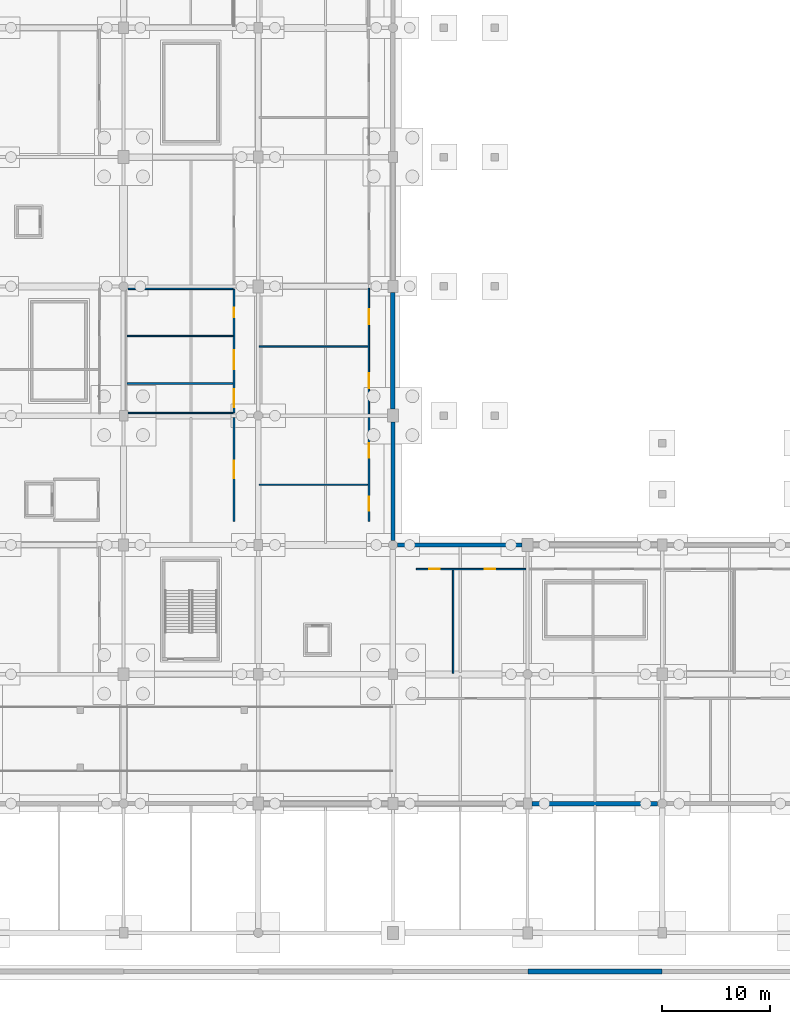
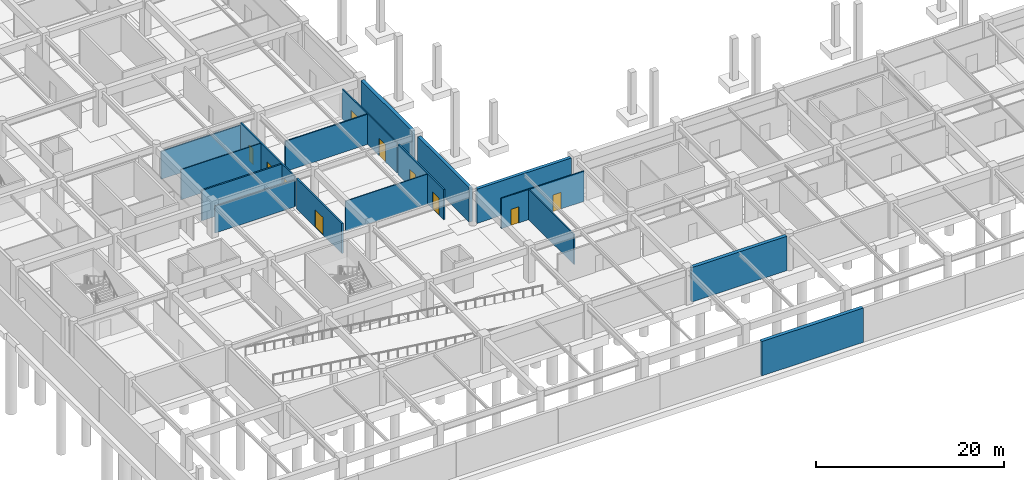
# One storey, part 24 of 56: 17 walls, 10 doors, 10 openings.
"""IFC4 building model written with IfcOpenShell, lengths in metres."""

from ifc_helpers import new_model, si_unit, direction, frame, frame_2d, origin, place, context, subcontext, project, spatial, rectangle, extrude, material, layer, layer_set, type_object, element, fill, save


model = new_model("IFC4")

# Units and contexts
model_context = context("Model", 3, precision=1e-05, world=origin(), true_north=direction((0.0, 1.0)))
body_context = subcontext(model_context, "Body", "Model", "MODEL_VIEW")
ifc_project = project(units=[si_unit("LENGTHUNIT", "METRE"), si_unit("AREAUNIT", "SQUARE_METRE"), si_unit("VOLUMEUNIT", "CUBIC_METRE"), si_unit("PLANEANGLEUNIT", "RADIAN"), si_unit("MASSUNIT", "GRAM", prefix="KILO")], contexts=[model_context])

# Site, building, storey
site_placement = place(None, origin())
site = spatial("IfcSite", under=ifc_project, at=site_placement, CompositionType="ELEMENT")
building_placement = place(site_placement, origin())
building = spatial("IfcBuilding", under=site, at=building_placement, Name="Kazenohara Klinker Stadium", CompositionType="ELEMENT")
storey_placement = place(building_placement, frame((0.0, 0.0, -4.800048828125)))
storey = spatial("IfcBuildingStorey", under=building, at=storey_placement, Name="B01", CompositionType="ELEMENT", Elevation=-4.800048828125)

# Walls
ifc_material_1 = material(Name="Concrete C40/50", Category="concrete")
ifc_layer_1 = layer(ifc_material_1, 0.43994140625)
ifc_layer_set_1 = layer_set([ifc_layer_1], Name="Concrete C40/50")
wall_type_1 = type_object("IfcWallType", Name="WAL-B01-PLINTH440", PredefinedType="USERDEFINED", material=ifc_layer_set_1)
wall_1_placement = place(storey_placement, frame((61.52001953125, -3.580078125, 0.0), z_axis=(0.0, 0.0, 1.0), x_axis=(1.0, 0.0, 0.0)))
element("IfcWall", 1, at=wall_1_placement, inside=storey, type_object=wall_type_1, Name="Street plinth retaining wall RW03 South-06", ObjectType="RETAINING WALL", PredefinedType="USERDEFINED", context=body_context, shape_type="SweptSolid", body=[
    extrude(rectangle(XDim=12.4599609375, YDim=0.43994140625, at=frame_2d((6.22998046875, 0.0))), origin(), (0.0, 0.0, 1.0), 4.4599609375),
])
ifc_layer_2 = layer(ifc_material_1, 0.3798828125)
ifc_layer_set_2 = layer_set([ifc_layer_2], Name="Concrete C40/50")
wall_type_2 = type_object("IfcWallType", Name="WAL-B01-RET380", PredefinedType="STANDARD", material=ifc_layer_set_2)
wall_2_placement = place(storey_placement, frame((49.0, 36.428955078125, 0.0), z_axis=(0.0, 0.0, 1.0), x_axis=(0.0, 1.0, 0.0)))
element("IfcWall", 2, at=wall_2_placement, inside=storey, type_object=wall_type_2, Name="Basement perimeter retaining wall RW02 Y-04-03", PredefinedType="STANDARD", context=body_context, shape_type="SweptSolid", body=[
    extrude(rectangle(XDim=10.967041015625, YDim=0.3798828125, at=frame_2d((5.4833984375, 0.0))), origin(), (0.0, 0.0, 1.0), 4.4599609375),
])
wall_3_placement = place(storey_placement, frame((49.428955078125, 36.0, 0.0), z_axis=(0.0, 0.0, 1.0), x_axis=(1.0, 0.0, 0.0)))
element("IfcWall", 3, at=wall_3_placement, inside=storey, type_object=wall_type_2, Name="Basement perimeter retaining wall RW02 X-04-03", PredefinedType="STANDARD", context=body_context, shape_type="SweptSolid", body=[
    extrude(rectangle(XDim=11.567138671875, YDim=0.3798828125, at=frame_2d((5.78369140625, 0.0))), origin(), (0.0, 0.0, 1.0), 4.4599609375),
])
ifc_layer_3 = layer(ifc_material_1, 0.419921875)
ifc_layer_set_3 = layer_set([ifc_layer_3], Name="Concrete C40/50")
wall_type_3 = type_object("IfcWallType", Name="WAL-B01-RET420", PredefinedType="STANDARD", material=ifc_layer_set_3)
wall_4_placement = place(storey_placement, frame((49.0, 48.60400390625, 0.0), z_axis=(0.0, 0.0, 1.0), x_axis=(0.0, 1.0, 0.0)))
element("IfcWall", 4, at=wall_4_placement, inside=storey, type_object=wall_type_3, Name="Basement perimeter retaining wall RW01 Y-04-04", PredefinedType="STANDARD", context=body_context, shape_type="SweptSolid", body=[
    extrude(rectangle(XDim=10.842041015625, YDim=0.419921875, at=frame_2d((5.4208984375, 0.0))), origin(), (0.0, 0.0, 1.0), 4.4599609375),
])
wall_5_placement = place(storey_placement, frame((61.904052734375, 12.0, 0.0), z_axis=(0.0, 0.0, 1.0), x_axis=(1.0, 0.0, 0.0)))
element("IfcWall", 5, at=wall_5_placement, inside=storey, type_object=wall_type_3, Name="Basement perimeter retaining wall RW01 X-05-01", PredefinedType="STANDARD", context=body_context, shape_type="SweptSolid", body=[
    extrude(rectangle(XDim=11.6669921875, YDim=0.419921875, at=frame_2d((5.83349609375, 0.0))), origin(), (0.0, 0.0, 1.0), 4.4599609375),
])
ifc_material_2 = material(Name="Fire-rated gypsum board on acoustic studs", Category="gypsum")
ifc_layer_4 = layer(ifc_material_2, 0.110107421875)
ifc_layer_set_4 = layer_set([ifc_layer_4], Name="Fire-rated gypsum board on acoustic studs")
wall_type_4 = type_object("IfcWallType", Name="WAL-INT-P110", PredefinedType="PARTITIONING", material=ifc_layer_set_4)
wall_6_placement = place(storey_placement, frame((24.320068359375, 55.39306640625, 0.0), z_axis=(0.0, 0.0, 1.0), x_axis=(1.0, 0.0, 0.0)))
element("IfcWall", 6, at=wall_6_placement, inside=storey, type_object=wall_type_4, Name="Interior partition wall PT01 SPC-B01-02-04-1-6", PredefinedType="PARTITIONING", context=body_context, shape_type="SweptSolid", body=[
    extrude(rectangle(XDim=9.849853515625, YDim=0.110107421875, at=frame_2d((4.9248046875, 0.0))), origin(), (0.0, 0.0, 1.0), 3.920166015625),
])
wall_7_placement = place(storey_placement, frame((36.580078125, 41.59326171875, 0.0), z_axis=(0.0, 0.0, 1.0), x_axis=(1.0, 0.0, 0.0)))
element("IfcWall", 7, at=wall_7_placement, inside=storey, type_object=wall_type_4, Name="Interior partition wall PT01 SPC-B01-03-03-1-2", PredefinedType="PARTITIONING", context=body_context, shape_type="SweptSolid", body=[
    extrude(rectangle(XDim=10.079833984375, YDim=0.110107421875, at=frame_2d((5.0400390625, 0.0))), origin(), (0.0, 0.0, 1.0), 3.920166015625),
])
ifc_layer_5 = layer(ifc_material_2, 0.1201171875)
ifc_layer_set_5 = layer_set([ifc_layer_5], Name="Fire-rated gypsum board on acoustic studs")
wall_type_5 = type_object("IfcWallType", Name="WAL-INT-P120", PredefinedType="PARTITIONING", material=ifc_layer_set_5)
wall_8_placement = place(storey_placement, frame((24.404052734375, 48.239990234375, 0.0), z_axis=(0.0, 0.0, 1.0), x_axis=(1.0, 0.0, 0.0)))
element("IfcWall", 8, at=wall_8_placement, inside=storey, type_object=wall_type_5, Name="Interior partition wall PT02 SPC-B01-02-04-1-1", PredefinedType="PARTITIONING", context=body_context, shape_type="SweptSolid", body=[
    extrude(rectangle(XDim=9.765869140625, YDim=0.1201171875, at=frame_2d((4.8828125, 0.0))), origin(), (0.0, 0.0, 1.0), 3.52001953125),
])
ifc_layer_6 = layer(ifc_material_2, 0.139892578125)
ifc_layer_set_6 = layer_set([ifc_layer_6], Name="Fire-rated gypsum board on acoustic studs")
wall_type_6 = type_object("IfcWallType", Name="WAL-INT-P140", PredefinedType="PARTITIONING", material=ifc_layer_set_6)
wall_9_placement = place(storey_placement, frame((24.428955078125, 59.760009765625, 0.0), z_axis=(0.0, 0.0, 1.0), x_axis=(1.0, 0.0, 0.0)))
element("IfcWall", 9, at=wall_9_placement, inside=storey, type_object=wall_type_6, Name="Interior partition wall PT03 SPC-B01-02-04-1-2", PredefinedType="PARTITIONING", context=body_context, shape_type="SweptSolid", body=[
    extrude(rectangle(XDim=9.740966796875, YDim=0.139892578125, at=frame_2d((4.87060546875, 0.0))), origin(), (0.0, 0.0, 1.0), 3.6201171875),
])

# Wall, openings, doors
wall_10_placement = place(storey_placement, frame((46.760009765625, 48.159912109375, 0.0), z_axis=(0.0, 0.0, 1.0), x_axis=(0.0, 1.0, 0.0)))
wall_10 = element("IfcWall", 10, at=wall_10_placement, inside=storey, type_object=wall_type_6, Name="Interior partition wall PT03 SPC-B01-03-04-1-1", PredefinedType="PARTITIONING", context=body_context, shape_type="SweptSolid", body=[
    extrude(rectangle(XDim=11.68017578125, YDim=0.139892578125, at=frame_2d((5.840087890625, 0.0))), origin(), (0.0, 0.0, 1.0), 3.920166015625),
])
opening_1_placement = place(wall_10_placement, frame((2.404296875, 0.0, 0.0)))
opening_1 = element("IfcOpeningElement", 11, at=opening_1_placement, cuts=wall_10, Name="Opening ID17", PredefinedType="OPENING", context=body_context, shape_type="SweptSolid", body=[
    extrude(rectangle(XDim=1.360107421875, YDim=2.25, at=frame_2d((0.68017578125, 1.125))), frame((0.0, 0.080078125, 0.0), z_axis=(0.0, -1.0, 0.0), x_axis=(1.0, 0.0, 0.0)), (0.0, 0.0, 1.0), 0.159912109375),
])
opening_2_placement = place(wall_10_placement, frame((8.304443359375, 0.0, 0.0)))
opening_2 = element("IfcOpeningElement", 12, at=opening_2_placement, cuts=wall_10, Name="Opening ID18", PredefinedType="OPENING", context=body_context, shape_type="SweptSolid", body=[
    extrude(rectangle(XDim=1.39990234375, YDim=2.239990234375, at=frame_2d((0.699951171875, 1.1201171875))), frame((0.0, 0.080078125, 0.0), z_axis=(0.0, -1.0, 0.0), x_axis=(1.0, 0.0, 0.0)), (0.0, 0.0, 1.0), 0.159912109375),
])
ifc_material_3 = material(Name="Solid-core Hokkaido oak fire door", Category="wood")
door_type_1 = type_object("IfcDoorType", Name="DR-INT-17", OperationType="NOTDEFINED", PredefinedType="DOOR", material=ifc_material_3)
door_1_placement = place(opening_1_placement, origin())
door_1 = element("IfcDoor", 13, at=door_1_placement, inside=storey, type_object=door_type_1, Name="Interior door ID17 Mixed Zone Broadcast Interview Studio B01-0304A", OperationType="SINGLE_SWING_RIGHT", OverallHeight=2.25, OverallWidth=1.360107421875, PredefinedType="DOOR", context=body_context, shape_type="SweptSolid", body=[
    extrude(rectangle(XDim=1.360107421875, YDim=2.25, at=frame_2d((0.68017578125, 1.125))), frame((0.0, 0.02490234375, 0.0), z_axis=(0.0, -1.0, 0.0), x_axis=(1.0, 0.0, 0.0)), (0.0, 0.0, 1.0), 0.050048828125),
])
fill(opening_1, door_1)
door_type_2 = type_object("IfcDoorType", Name="DR-INT-18", OperationType="NOTDEFINED", PredefinedType="DOOR", material=ifc_material_3)
door_2_placement = place(opening_2_placement, origin())
door_2 = element("IfcDoor", 14, at=door_2_placement, inside=storey, type_object=door_type_2, Name="Interior door ID18 Visiting-Club Athlete Changing Room B01-0304B", OperationType="SINGLE_SWING_LEFT", OverallHeight=2.239990234375, OverallWidth=1.39990234375, PredefinedType="DOOR", context=body_context, shape_type="SweptSolid", body=[
    extrude(rectangle(XDim=1.39990234375, YDim=2.239990234375, at=frame_2d((0.699951171875, 1.1201171875))), frame((0.0, 0.02490234375, 0.0), z_axis=(0.0, -1.0, 0.0), x_axis=(1.0, 0.0, 0.0)), (0.0, 0.0, 1.0), 0.050048828125),
])
fill(opening_2, door_2)

wall_11_placement = place(storey_placement, frame((51.169921875, 33.760009765625, 0.0), z_axis=(0.0, 0.0, 1.0), x_axis=(1.0, 0.0, 0.0)))
wall_11 = element("IfcWall", 15, at=wall_11_placement, inside=storey, type_object=wall_type_6, Name="Interior partition wall PT03 SPC-B01-04-02-1-1", PredefinedType="PARTITIONING", context=body_context, shape_type="SweptSolid", body=[
    extrude(rectangle(XDim=10.170166015625, YDim=0.139892578125, at=frame_2d((5.0849609375, 0.0))), origin(), (0.0, 0.0, 1.0), 3.920166015625),
])
opening_3_placement = place(wall_11_placement, frame((2.158447265625, 0.0, 0.0), z_axis=(0.0, 0.0, 1.0), x_axis=(-1.0, 0.0, 0.0)))
opening_3 = element("IfcOpeningElement", 16, at=opening_3_placement, cuts=wall_11, Name="Opening ID04", PredefinedType="OPENING", context=body_context, shape_type="SweptSolid", body=[
    extrude(rectangle(XDim=0.97998046875, YDim=2.10009765625, at=frame_2d((0.489990234375, 1.050048828125))), frame((0.0, 0.080078125, 0.0), z_axis=(0.0, -1.0, 0.0), x_axis=(1.0, 0.0, 0.0)), (0.0, 0.0, 1.0), 0.159912109375),
])
opening_4_placement = place(wall_11_placement, frame((7.33349609375, 0.0, 0.0), z_axis=(0.0, 0.0, 1.0), x_axis=(-1.0, 0.0, 0.0)))
opening_4 = element("IfcOpeningElement", 17, at=opening_4_placement, cuts=wall_11, Name="Opening ID05", PredefinedType="OPENING", context=body_context, shape_type="SweptSolid", body=[
    extrude(rectangle(XDim=1.0, YDim=2.139892578125, at=frame_2d((0.5, 1.06982421875))), frame((0.0, 0.080078125, 0.0), z_axis=(0.0, -1.0, 0.0), x_axis=(1.0, 0.0, 0.0)), (0.0, 0.0, 1.0), 0.159912109375),
])
door_type_3 = type_object("IfcDoorType", Name="DR-INT-04", OperationType="NOTDEFINED", PredefinedType="DOOR", material=ifc_material_3)
door_3_placement = place(opening_3_placement, origin())
door_3 = element("IfcDoor", 18, at=door_3_placement, inside=storey, type_object=door_type_3, Name="Interior door ID04 Emergency Diesel Generator Plant B01-0402A", OperationType="SINGLE_SWING_LEFT", OverallHeight=2.10009765625, OverallWidth=0.97998046875, PredefinedType="DOOR", context=body_context, shape_type="SweptSolid", body=[
    extrude(rectangle(XDim=0.97998046875, YDim=2.10009765625, at=frame_2d((0.489990234375, 1.050048828125))), frame((0.0, 0.02490234375, 0.0), z_axis=(0.0, -1.0, 0.0), x_axis=(1.0, 0.0, 0.0)), (0.0, 0.0, 1.0), 0.050048828125),
])
fill(opening_3, door_3)
door_type_4 = type_object("IfcDoorType", Name="DR-INT-05", OperationType="NOTDEFINED", PredefinedType="DOOR", material=ifc_material_3)
door_4_placement = place(opening_4_placement, origin())
door_4 = element("IfcDoor", 19, at=door_4_placement, inside=storey, type_object=door_type_4, Name="Interior door ID05 Indoor Turf Sprint Training Arena B01-0402B", OperationType="SINGLE_SWING_RIGHT", OverallHeight=2.139892578125, OverallWidth=1.0, PredefinedType="DOOR", context=body_context, shape_type="SweptSolid", body=[
    extrude(rectangle(XDim=1.0, YDim=2.139892578125, at=frame_2d((0.5, 1.06982421875))), frame((0.0, 0.02490234375, 0.0), z_axis=(0.0, -1.0, 0.0), x_axis=(1.0, 0.0, 0.0)), (0.0, 0.0, 1.0), 0.050048828125),
])
fill(opening_4, door_4)

# Walls
ifc_layer_7 = layer(ifc_material_2, 0.14990234375)
ifc_layer_set_7 = layer_set([ifc_layer_7], Name="Fire-rated gypsum board on acoustic studs")
wall_type_7 = type_object("IfcWallType", Name="WAL-INT-P150", PredefinedType="PARTITIONING", material=ifc_layer_set_7)
wall_12_placement = place(storey_placement, frame((36.580078125, 54.40869140625, 0.0), z_axis=(0.0, 0.0, 1.0), x_axis=(1.0, 0.0, 0.0)))
element("IfcWall", 20, at=wall_12_placement, inside=storey, type_object=wall_type_7, Name="Interior partition wall PT04 SPC-B01-03-04-1-2", PredefinedType="PARTITIONING", context=body_context, shape_type="SweptSolid", body=[
    extrude(rectangle(XDim=10.10498046875, YDim=0.14990234375, at=frame_2d((5.052490234375, 0.0))), origin(), (0.0, 0.0, 1.0), 3.920166015625),
])
wall_13_placement = place(storey_placement, frame((54.587158203125, 24.080078125, 0.0), z_axis=(0.0, 0.0, 1.0), x_axis=(0.0, 1.0, 0.0)))
element("IfcWall", 21, at=wall_13_placement, inside=storey, type_object=wall_type_7, Name="Interior partition wall PT04 SPC-B01-04-02-1-2", PredefinedType="PARTITIONING", context=body_context, shape_type="SweptSolid", body=[
    extrude(rectangle(XDim=9.60498046875, YDim=0.14990234375, at=frame_2d((4.802490234375, 0.0))), origin(), (0.0, 0.0, 1.0), 3.920166015625),
])

# Wall, openings, doors
ifc_layer_8 = layer(ifc_material_2, 0.169921875)
ifc_layer_set_8 = layer_set([ifc_layer_8], Name="Fire-rated gypsum board on acoustic studs")
wall_type_8 = type_object("IfcWallType", Name="WAL-INT-P170", PredefinedType="PARTITIONING", material=ifc_layer_set_8)
wall_14_placement = place(storey_placement, frame((34.260009765625, 48.239990234375, 0.0), z_axis=(0.0, 0.0, 1.0), x_axis=(0.0, 1.0, 0.0)))
wall_14 = element("IfcWall", 22, at=wall_14_placement, inside=storey, type_object=wall_type_8, Name="Interior partition wall PT05 SPC-B01-02-04-1-4", PredefinedType="PARTITIONING", context=body_context, shape_type="SweptSolid", body=[
    extrude(rectangle(XDim=11.52001953125, YDim=0.169921875, at=frame_2d((5.760009765625, 0.0))), origin(), (0.0, 0.0, 1.0), 3.920166015625),
])
opening_5_placement = place(wall_14_placement, frame((0.523193359375, 0.0, 0.0)))
opening_5 = element("IfcOpeningElement", 23, at=opening_5_placement, cuts=wall_14, Name="Opening ID25", PredefinedType="OPENING", context=body_context, shape_type="SweptSolid", body=[
    extrude(rectangle(XDim=1.699951171875, YDim=2.320068359375, at=frame_2d((0.85009765625, 1.16015625))), frame((0.0, 0.094970703125, 0.0), z_axis=(0.0, -1.0, 0.0), x_axis=(1.0, 0.0, 0.0)), (0.0, 0.0, 1.0), 0.18994140625),
])
opening_6_placement = place(wall_14_placement, frame((4.0595703125, 0.0, 0.0)))
opening_6 = element("IfcOpeningElement", 24, at=opening_6_placement, cuts=wall_14, Name="Opening ID26", PredefinedType="OPENING", context=body_context, shape_type="SweptSolid", body=[
    extrude(rectangle(XDim=1.760009765625, YDim=2.300048828125, at=frame_2d((0.8798828125, 1.14990234375))), frame((0.0, 0.094970703125, 0.0), z_axis=(0.0, -1.0, 0.0), x_axis=(1.0, 0.0, 0.0)), (0.0, 0.0, 1.0), 0.18994140625),
])
opening_7_placement = place(wall_14_placement, frame((8.87646484375, 0.0, 0.0)))
opening_7 = element("IfcOpeningElement", 25, at=opening_7_placement, cuts=wall_14, Name="Opening ID01", PredefinedType="OPENING", context=body_context, shape_type="SweptSolid", body=[
    extrude(rectangle(XDim=0.89990234375, YDim=2.06005859375, at=frame_2d((0.449951171875, 1.030029296875))), frame((0.0, 0.094970703125, 0.0), z_axis=(0.0, -1.0, 0.0), x_axis=(1.0, 0.0, 0.0)), (0.0, 0.0, 1.0), 0.18994140625),
])
door_type_5 = type_object("IfcDoorType", Name="DR-INT-01", OperationType="NOTDEFINED", PredefinedType="DOOR", material=ifc_material_3)
door_5_placement = place(opening_7_placement, origin())
door_5 = element("IfcDoor", 26, at=door_5_placement, inside=storey, type_object=door_type_5, Name="Interior door ID01 Water Closet Restroom Female B01-0204C", OperationType="SINGLE_SWING_RIGHT", OverallHeight=2.06005859375, OverallWidth=0.89990234375, PredefinedType="DOOR", context=body_context, shape_type="SweptSolid", body=[
    extrude(rectangle(XDim=0.89990234375, YDim=2.06005859375, at=frame_2d((0.449951171875, 1.030029296875))), frame((0.0, 0.02490234375, 0.0), z_axis=(0.0, -1.0, 0.0), x_axis=(1.0, 0.0, 0.0)), (0.0, 0.0, 1.0), 0.050048828125),
])
fill(opening_7, door_5)
ifc_material_4 = material(Name="Painted steel plant fire door", Category="steel")
door_type_6 = type_object("IfcDoorType", Name="DR-INT-25", OperationType="NOTDEFINED", PredefinedType="DOOR", material=ifc_material_4)
door_6_placement = place(opening_5_placement, origin())
door_6 = element("IfcDoor", 27, at=door_6_placement, inside=storey, type_object=door_type_6, Name="Interior door ID25 Accessible Water Closet Restroom B01-0204A", OperationType="SINGLE_SWING_RIGHT", OverallHeight=2.320068359375, OverallWidth=1.699951171875, PredefinedType="DOOR", context=body_context, shape_type="SweptSolid", body=[
    extrude(rectangle(XDim=1.699951171875, YDim=2.320068359375, at=frame_2d((0.85009765625, 1.16015625))), frame((0.0, 0.02490234375, 0.0), z_axis=(0.0, -1.0, 0.0), x_axis=(1.0, 0.0, 0.0)), (0.0, 0.0, 1.0), 0.050048828125),
])
fill(opening_5, door_6)
door_type_7 = type_object("IfcDoorType", Name="DR-INT-26", OperationType="NOTDEFINED", PredefinedType="DOOR", material=ifc_material_4)
door_7_placement = place(opening_6_placement, origin())
door_7 = element("IfcDoor", 28, at=door_7_placement, inside=storey, type_object=door_type_7, Name="Interior door ID26 Water Closet Restroom Male B01-0204B", OperationType="SINGLE_SWING_LEFT", OverallHeight=2.300048828125, OverallWidth=1.760009765625, PredefinedType="DOOR", context=body_context, shape_type="SweptSolid", body=[
    extrude(rectangle(XDim=1.760009765625, YDim=2.300048828125, at=frame_2d((0.8798828125, 1.14990234375))), frame((0.0, 0.02490234375, 0.0), z_axis=(0.0, -1.0, 0.0), x_axis=(1.0, 0.0, 0.0)), (0.0, 0.0, 1.0), 0.050048828125),
])
fill(opening_6, door_7)

# Wall, opening, door
ifc_layer_9 = layer(ifc_material_2, 0.18994140625)
ifc_layer_set_9 = layer_set([ifc_layer_9], Name="Fire-rated gypsum board on acoustic studs")
wall_type_9 = type_object("IfcWallType", Name="WAL-INT-P190", PredefinedType="PARTITIONING", material=ifc_layer_set_9)
wall_15_placement = place(storey_placement, frame((34.260009765625, 38.169921875, 0.0), z_axis=(0.0, 0.0, 1.0), x_axis=(0.0, 1.0, 0.0)))
wall_15 = element("IfcWall", 29, at=wall_15_placement, inside=storey, type_object=wall_type_9, Name="Interior partition wall PT06 SPC-B01-02-03-1-1", PredefinedType="PARTITIONING", context=body_context, shape_type="SweptSolid", body=[
    extrude(rectangle(XDim=9.670166015625, YDim=0.18994140625, at=frame_2d((4.8349609375, 0.0))), origin(), (0.0, 0.0, 1.0), 3.920166015625),
])
opening_8_placement = place(wall_15_placement, frame((4.010009765625, 0.0, 0.0)))
opening_8 = element("IfcOpeningElement", 30, at=opening_8_placement, cuts=wall_15, Name="Opening ID24", PredefinedType="OPENING", context=body_context, shape_type="SweptSolid", body=[
    extrude(rectangle(XDim=1.64990234375, YDim=2.280029296875, at=frame_2d((0.824951171875, 1.14013671875))), frame((0.0, 0.10498046875, 0.0), z_axis=(0.0, -1.0, 0.0), x_axis=(1.0, 0.0, 0.0)), (0.0, 0.0, 1.0), 0.2099609375),
])
door_type_8 = type_object("IfcDoorType", Name="DR-INT-24", OperationType="NOTDEFINED", PredefinedType="DOOR", material=ifc_material_4)
door_8_placement = place(opening_8_placement, origin())
door_8 = element("IfcDoor", 31, at=door_8_placement, inside=storey, type_object=door_type_8, Name="Interior door ID24 Visiting-Club Athlete Changing Room B01-0203A", OperationType="SINGLE_SWING_LEFT", OverallHeight=2.280029296875, OverallWidth=1.64990234375, PredefinedType="DOOR", context=body_context, shape_type="SweptSolid", body=[
    extrude(rectangle(XDim=1.64990234375, YDim=2.280029296875, at=frame_2d((0.824951171875, 1.14013671875))), frame((0.0, 0.02490234375, 0.0), z_axis=(0.0, -1.0, 0.0), x_axis=(1.0, 0.0, 0.0)), (0.0, 0.0, 1.0), 0.050048828125),
])
fill(opening_8, door_8)

# Wall
wall_16_placement = place(storey_placement, frame((24.320068359375, 50.96630859375, 0.0), z_axis=(0.0, 0.0, 1.0), x_axis=(1.0, 0.0, 0.0)))
element("IfcWall", 32, at=wall_16_placement, inside=storey, type_object=wall_type_9, Name="Interior partition wall PT06 SPC-B01-02-04-1-5", PredefinedType="PARTITIONING", context=body_context, shape_type="SweptSolid", body=[
    extrude(rectangle(XDim=9.849853515625, YDim=0.18994140625, at=frame_2d((4.9248046875, 0.0))), origin(), (0.0, 0.0, 1.0), 3.920166015625),
])

# Wall, openings, doors
wall_17_placement = place(storey_placement, frame((46.760009765625, 38.169921875, 0.0), z_axis=(0.0, 0.0, 1.0), x_axis=(0.0, 1.0, 0.0)))
wall_17 = element("IfcWall", 33, at=wall_17_placement, inside=storey, type_object=wall_type_9, Name="Interior partition wall PT06 SPC-B01-03-03-1-1", PredefinedType="PARTITIONING", context=body_context, shape_type="SweptSolid", body=[
    extrude(rectangle(XDim=9.670166015625, YDim=0.18994140625, at=frame_2d((4.8349609375, 0.0))), origin(), (0.0, 0.0, 1.0), 3.920166015625),
])
opening_9_placement = place(wall_17_placement, frame((1.021484375, 0.0, 0.0)))
opening_9 = element("IfcOpeningElement", 34, at=opening_9_placement, cuts=wall_17, Name="Opening ID15", PredefinedType="OPENING", context=body_context, shape_type="SweptSolid", body=[
    extrude(rectangle(XDim=1.300048828125, YDim=2.239990234375, at=frame_2d((0.64990234375, 1.1201171875))), frame((0.0, 0.10498046875, 0.0), z_axis=(0.0, -1.0, 0.0), x_axis=(1.0, 0.0, 0.0)), (0.0, 0.0, 1.0), 0.2099609375),
])
opening_10_placement = place(wall_17_placement, frame((5.921630859375, 0.0, 0.0)))
opening_10 = element("IfcOpeningElement", 35, at=opening_10_placement, cuts=wall_17, Name="Opening ID16", PredefinedType="OPENING", context=body_context, shape_type="SweptSolid", body=[
    extrude(rectangle(XDim=1.330078125, YDim=2.219970703125, at=frame_2d((0.6650390625, 1.10986328125))), frame((0.0, 0.10498046875, 0.0), z_axis=(0.0, -1.0, 0.0), x_axis=(1.0, 0.0, 0.0)), (0.0, 0.0, 1.0), 0.2099609375),
])
door_type_9 = type_object("IfcDoorType", Name="DR-INT-15", OperationType="NOTDEFINED", PredefinedType="DOOR", material=ifc_material_3)
door_9_placement = place(opening_9_placement, origin())
door_9 = element("IfcDoor", 36, at=door_9_placement, inside=storey, type_object=door_type_9, Name="Interior door ID15 Snow-Melt Hydronic Chiller Plant B01-0303A", OperationType="SINGLE_SWING_RIGHT", OverallHeight=2.239990234375, OverallWidth=1.300048828125, PredefinedType="DOOR", context=body_context, shape_type="SweptSolid", body=[
    extrude(rectangle(XDim=1.300048828125, YDim=2.239990234375, at=frame_2d((0.64990234375, 1.1201171875))), frame((0.0, 0.02490234375, 0.0), z_axis=(0.0, -1.0, 0.0), x_axis=(1.0, 0.0, 0.0)), (0.0, 0.0, 1.0), 0.050048828125),
])
fill(opening_9, door_9)
door_type_10 = type_object("IfcDoorType", Name="DR-INT-16", OperationType="NOTDEFINED", PredefinedType="DOOR", material=ifc_material_3)
door_10_placement = place(opening_10_placement, origin())
door_10 = element("IfcDoor", 37, at=door_10_placement, inside=storey, type_object=door_type_10, Name="Interior door ID16 Sports Hydrotherapy Recovery Clinic B01-0303B", OperationType="SINGLE_SWING_LEFT", OverallHeight=2.219970703125, OverallWidth=1.330078125, PredefinedType="DOOR", context=body_context, shape_type="SweptSolid", body=[
    extrude(rectangle(XDim=1.330078125, YDim=2.219970703125, at=frame_2d((0.6650390625, 1.10986328125))), frame((0.0, 0.02490234375, 0.0), z_axis=(0.0, -1.0, 0.0), x_axis=(1.0, 0.0, 0.0)), (0.0, 0.0, 1.0), 0.050048828125),
])
fill(opening_10, door_10)

save(model, "model.ifc")
